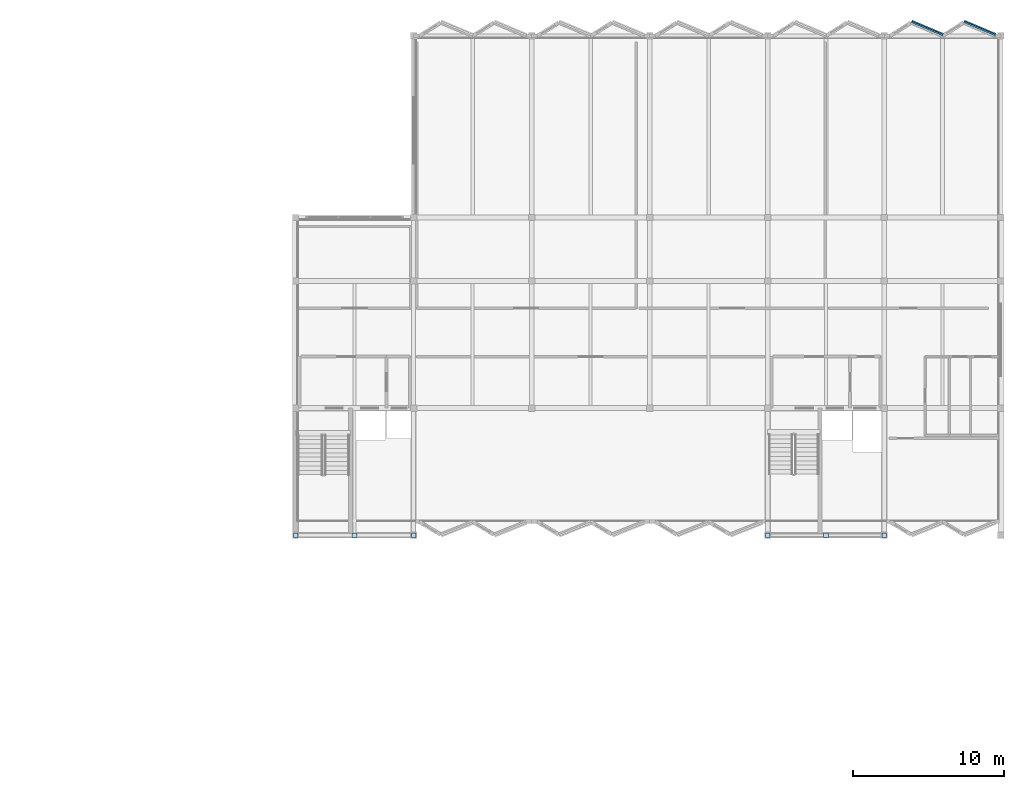
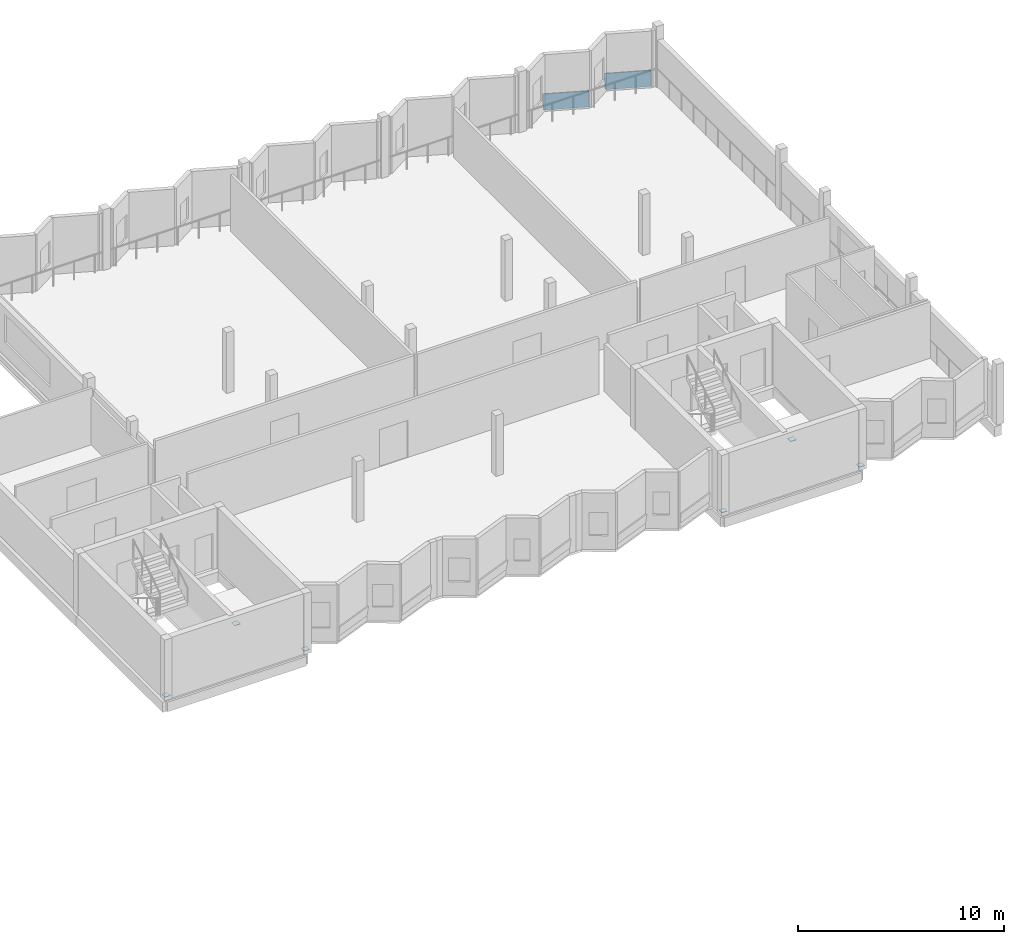
# One storey, part 11 of 22: 8 plates.
"""IFC4 building model written with IfcOpenShell, lengths in metres."""

from ifc_helpers import new_model, si_unit, direction, frame, origin, origin_2d, place, context, subcontext, project, spatial, polyline, rectangle, outline, extrude, material, layer, layer_set, type_object, element, save


model = new_model("IFC4")

# Units and contexts
model_context = context("Model", 3, precision=1e-05, world=origin(), true_north=direction((0.0, 1.0)))
body_context = subcontext(model_context, "Body", "Model", "MODEL_VIEW")
ifc_project = project(units=[si_unit("LENGTHUNIT", "METRE"), si_unit("AREAUNIT", "SQUARE_METRE"), si_unit("VOLUMEUNIT", "CUBIC_METRE"), si_unit("PLANEANGLEUNIT", "RADIAN"), si_unit("MASSUNIT", "GRAM", prefix="KILO")], contexts=[model_context])

# Site, building, storey
site_placement = place(None, origin())
site = spatial("IfcSite", under=ifc_project, at=site_placement, CompositionType="ELEMENT")
building_placement = place(site_placement, origin())
building = spatial("IfcBuilding", under=site, at=building_placement, Name="Vharandega Faculty of Natural Sciences", CompositionType="ELEMENT")
storey_placement = place(building_placement, frame((0.0, 0.0, 28.800048828125)))
storey = spatial("IfcBuildingStorey", under=building, at=storey_placement, Name="L07", CompositionType="ELEMENT", Elevation=28.800048828125)

# Plates
ifc_material_1 = material(Name="Steel S355", Category="steel")
ifc_layer_1 = layer(ifc_material_1, 0.02490234375, Name="Steel S355")
ifc_layer_set_1 = layer_set([ifc_layer_1], Name="Steel S355")
plate_type_1 = type_object("IfcPlateType", Name="Hollow Section End Cap Plate 25mm", PredefinedType="USERDEFINED", material=ifc_layer_set_1)
plate_1_placement = place(storey_placement, frame((114.800048828125, 64.0, 0.137451171875), z_axis=(0.0, 0.0, 1.0), x_axis=(1.0, 0.0, 0.0)))
element("IfcPlate", 1, at=plate_1_placement, inside=storey, type_object=plate_type_1, Name="Node Cap Plate CHV-J-L07 #74", ObjectType="CAP PLATE", PredefinedType="USERDEFINED", context=body_context, shape_type="SweptSolid", body=[
    extrude(rectangle(XDim=0.300048828125, YDim=0.300048828125, at=origin_2d()), origin(), (0.0, 0.0, 1.0), 0.02490234375),
])
plate_2_placement = place(storey_placement, frame((118.699951171875, 64.0, 3.017578125), z_axis=(0.0, 0.0, 1.0), x_axis=(1.0, 0.0, 0.0)))
element("IfcPlate", 2, at=plate_2_placement, inside=storey, type_object=plate_type_1, Name="Node Cap Plate CHV-J-L07 #75", ObjectType="CAP PLATE", PredefinedType="USERDEFINED", context=body_context, shape_type="SweptSolid", body=[
    extrude(rectangle(XDim=0.320068359375, YDim=0.320068359375, at=origin_2d()), origin(), (0.0, 0.0, 1.0), 0.02490234375),
])
for number, where, z_axis, x_axis, name in (
    (3, (122.60009765625, 64.0, 0.137451171875), (0.0, 0.0, 1.0), (1.0, 0.0, 0.0), "Node Cap Plate CHV-J-L07 #76"),
    (4, (146.0, 64.0, 0.137451171875), (0.0, 0.0, 1.0), (1.0, 0.0, 0.0), "Node Cap Plate CHV-J2-L07 #104"),
):
    element("IfcPlate", number, at=place(storey_placement, frame(where, z_axis=z_axis, x_axis=x_axis)), inside=storey, type_object=plate_type_1, Name=name, ObjectType="CAP PLATE", PredefinedType="USERDEFINED", context=body_context, shape_type="SweptSolid", body=[
        extrude(rectangle(XDim=0.300048828125, YDim=0.300048828125, at=origin_2d()), origin(), (0.0, 0.0, 1.0), 0.02490234375),
    ])
plate_3_placement = place(storey_placement, frame((149.85009765625, 64.0, 3.017578125), z_axis=(0.0, 0.0, 1.0), x_axis=(1.0, 0.0, 0.0)))
element("IfcPlate", 5, at=plate_3_placement, inside=storey, type_object=plate_type_1, Name="Node Cap Plate CHV-J2-L07 #105", ObjectType="CAP PLATE", PredefinedType="USERDEFINED", context=body_context, shape_type="SweptSolid", body=[
    extrude(rectangle(XDim=0.320068359375, YDim=0.320068359375, at=origin_2d()), origin(), (0.0, 0.0, 1.0), 0.02490234375),
])
plate_4_placement = place(storey_placement, frame((153.699951171875, 64.0, 0.137451171875), z_axis=(0.0, 0.0, 1.0), x_axis=(1.0, 0.0, 0.0)))
element("IfcPlate", 6, at=plate_4_placement, inside=storey, type_object=plate_type_1, Name="Node Cap Plate CHV-J2-L07 #106", ObjectType="CAP PLATE", PredefinedType="USERDEFINED", context=body_context, shape_type="SweptSolid", body=[
    extrude(rectangle(XDim=0.300048828125, YDim=0.300048828125, at=origin_2d()), origin(), (0.0, 0.0, 1.0), 0.02490234375),
])
ifc_material_2 = material(Name="White precast concrete C40/50", Category="concrete")
ifc_layer_2 = layer(ifc_material_2, 0.080078125, Name="White precast concrete C40/50")
ifc_layer_set_2 = layer_set([ifc_layer_2], Name="White precast concrete C40/50")
plate_type_2 = type_object("IfcPlateType", Name="Sawtooth Tilted White Precast Prism 80", PredefinedType="USERDEFINED", material=ifc_layer_set_2)
for number, where, z_axis, x_axis, name in (
    (7, (155.468017578125, 97.8798828125, 0.0), (-0.386813048349, -0.915173165855, 0.113286107384), (0.044059889025, 0.104366999659, 0.993562406475), "Sawtooth Tilted Precast Prism L07 N09"),
    (8, (158.93798828125, 97.8798828125, 0.0), (-0.386813048349, -0.915173165855, 0.113286107384), (0.044059889025, 0.104366999659, 0.993562406475), "Sawtooth Tilted Precast Prism L07 N10"),
):
    element("IfcPlate", number, at=place(storey_placement, frame(where, z_axis=z_axis, x_axis=x_axis)), inside=storey, type_object=plate_type_2, Name=name, ObjectType="FACADE PRISM", PredefinedType="USERDEFINED", context=body_context, shape_type="SweptSolid", body=[
        extrude(outline(polyline([(0.0, 0.0), (0.885596579114325, -4.126744519022951e-18), (0.8854744355192941, -2.260415349486517), (-9.666337050474871e-05, -2.2603203020557325), (0.0, 0.0)])), origin(), (0.0, 0.0, -1.0), 0.080078125),
    ])

save(model, "model.ifc")
